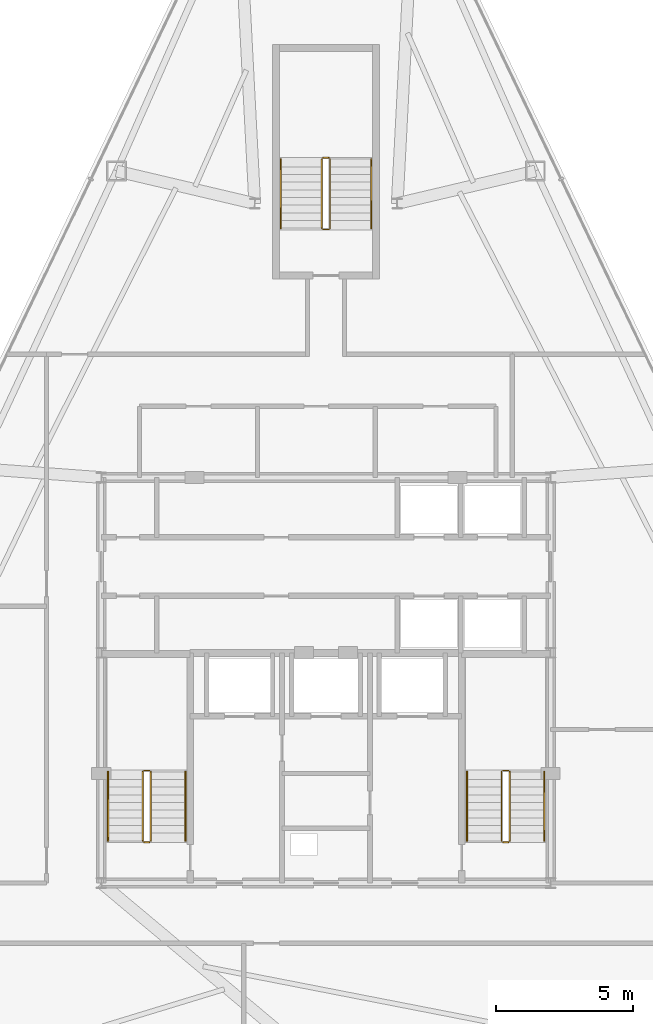
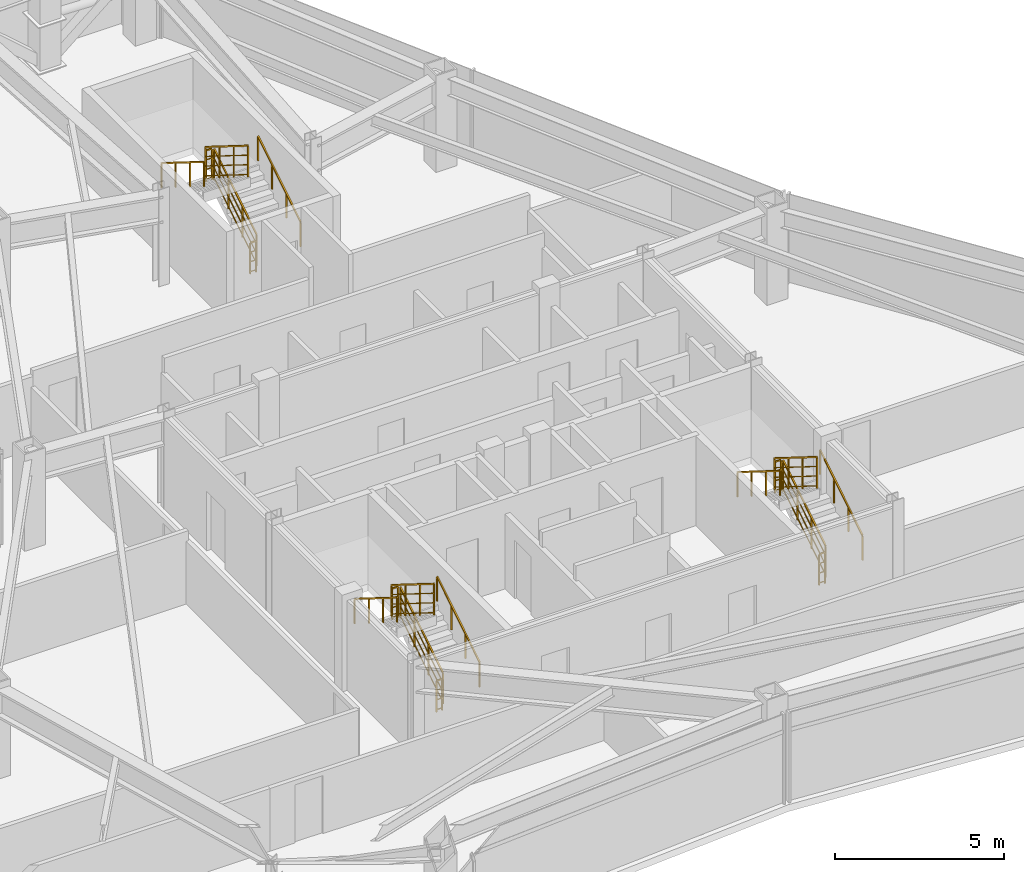
# One storey, part 12 of 12: 18 railings.
"""IFC4 building model written with IfcOpenShell, lengths in metres."""

from ifc_helpers import new_model, si_unit, direction, frame, origin, origin_2d, place, context, subcontext, project, spatial, rectangle, extrude, material, type_object, element, save


model = new_model("IFC4")

# Units and contexts
model_context = context("Model", 3, precision=1e-05, world=origin(), true_north=direction((0.0, 1.0)))
body_context = subcontext(model_context, "Body", "Model", "MODEL_VIEW")
ifc_project = project(units=[si_unit("LENGTHUNIT", "METRE"), si_unit("AREAUNIT", "SQUARE_METRE"), si_unit("VOLUMEUNIT", "CUBIC_METRE"), si_unit("PLANEANGLEUNIT", "RADIAN"), si_unit("MASSUNIT", "GRAM", prefix="KILO")], contexts=[model_context])

# Site, building, storey
site_placement = place(None, origin())
site = spatial("IfcSite", under=ifc_project, at=site_placement, CompositionType="ELEMENT")
building_placement = place(site_placement, origin())
building = spatial("IfcBuilding", under=site, at=building_placement, Name="Varakhsha Concourse Tower", CompositionType="ELEMENT")
storey_placement = place(building_placement, frame((0.0, 0.0, 222.39990234375)))
storey = spatial("IfcBuildingStorey", under=building, at=storey_placement, Name="L63", CompositionType="ELEMENT", Elevation=222.39990234375)

# Railings
ifc_material = material(Name="Brushed Austenitic Stainless Steel AISI 316", Category="steel")
railing_type_1 = type_object("IfcRailingType", Name="RL-STAIR-GUARD-1100", PredefinedType="GUARDRAIL", material=ifc_material)
railing_1_placement = place(storey_placement, frame((33.610107421875, 17.93994140625, 0.175048828125)))
element("IfcRailing", 1, at=railing_1_placement, inside=storey, type_object=railing_type_1, Name="L63 ST1 stair guard 1", PredefinedType="GUARDRAIL", context=body_context, shape_type="SweptSolid", body=[
    extrude(rectangle(XDim=0.048095703125, YDim=0.048095703125, at=origin_2d()), frame((0.0, 0.0, 1.1259765625), z_axis=(0.0, 0.848007534815, 0.529984170421), x_axis=(-1.0, 0.0, 0.0)), (0.0, 0.0, 1.0), 2.9716796875),
    extrude(rectangle(XDim=0.028076171875, YDim=0.028076171875, at=origin_2d()), frame((0.0, 0.0, 0.080078125), z_axis=(0.0, 0.848007534815, 0.529984170421), x_axis=(-1.0, 0.0, 0.0)), (0.0, 0.0, 1.0), 2.9716796875),
    extrude(rectangle(XDim=0.028076171875, YDim=0.028076171875, at=origin_2d()), frame((0.0, 0.0, 0.43701171875), z_axis=(0.0, 0.848007534815, 0.529984170421), x_axis=(-1.0, 0.0, 0.0)), (0.0, 0.0, 1.0), 2.9716796875),
    extrude(rectangle(XDim=0.028076171875, YDim=0.028076171875, at=origin_2d()), frame((0.0, 0.0, 0.781982421875), z_axis=(0.0, 0.848007534815, 0.529984170421), x_axis=(-1.0, 0.0, 0.0)), (0.0, 0.0, 1.0), 2.9716796875),
    extrude(rectangle(XDim=0.0419921875, YDim=0.0419921875, at=origin_2d()), origin(), (0.0, 0.0, 1.0), 1.101806640625),
    extrude(rectangle(XDim=0.0419921875, YDim=0.0419921875, at=origin_2d()), frame((0.0, 0.840087890625, 0.52490234375)), (0.0, 0.0, 1.0), 1.101806640625),
    extrude(rectangle(XDim=0.0419921875, YDim=0.0419921875, at=origin_2d()), frame((0.0, 1.679931640625, 1.050048828125)), (0.0, 0.0, 1.0), 1.101806640625),
    extrude(rectangle(XDim=0.0419921875, YDim=0.0419921875, at=origin_2d()), frame((0.0, 2.52001953125, 1.574951171875)), (0.0, 0.0, 1.0), 1.101806640625),
])
railing_2_placement = place(storey_placement, frame((33.56005859375, 20.510009765625, 1.75)))
element("IfcRailing", 2, at=railing_2_placement, inside=storey, type_object=railing_type_1, Name="L63 ST1 stair guard 2", PredefinedType="GUARDRAIL", context=body_context, shape_type="SweptSolid", body=[
    extrude(rectangle(XDim=0.048095703125, YDim=0.048095703125, at=origin_2d()), frame((0.0, 0.0, 1.1259765625), z_axis=(-1.0, 0.0, 0.0), x_axis=(0.0, -1.0, 0.0)), (0.0, 0.0, 1.0), 0.199951171875),
    extrude(rectangle(XDim=0.028076171875, YDim=0.028076171875, at=origin_2d()), frame((0.0, 0.0, 0.080078125), z_axis=(-1.0, 0.0, 0.0), x_axis=(0.0, -1.0, 0.0)), (0.0, 0.0, 1.0), 0.199951171875),
    extrude(rectangle(XDim=0.028076171875, YDim=0.028076171875, at=origin_2d()), frame((0.0, 0.0, 0.43701171875), z_axis=(-1.0, 0.0, 0.0), x_axis=(0.0, -1.0, 0.0)), (0.0, 0.0, 1.0), 0.199951171875),
    extrude(rectangle(XDim=0.028076171875, YDim=0.028076171875, at=origin_2d()), frame((0.0, 0.0, 0.781982421875), z_axis=(-1.0, 0.0, 0.0), x_axis=(0.0, -1.0, 0.0)), (0.0, 0.0, 1.0), 0.199951171875),
    extrude(rectangle(XDim=0.0419921875, YDim=0.0419921875, at=origin_2d()), origin(), (0.0, 0.0, 1.0), 1.101806640625),
    extrude(rectangle(XDim=0.0419921875, YDim=0.0419921875, at=origin_2d()), frame((-0.199951171875, 0.0, 0.0)), (0.0, 0.0, 1.0), 1.101806640625),
])
railing_3_placement = place(storey_placement, frame((33.31005859375, 20.4599609375, 1.925048828125)))
element("IfcRailing", 3, at=railing_3_placement, inside=storey, type_object=railing_type_1, Name="L63 ST1 stair guard 3", PredefinedType="GUARDRAIL", context=body_context, shape_type="SweptSolid", body=[
    extrude(rectangle(XDim=0.048095703125, YDim=0.048095703125, at=origin_2d()), frame((0.0, 0.0, 1.1259765625), z_axis=(0.0, -0.848007534815, 0.529984170421), x_axis=(1.0, 0.0, 0.0)), (0.0, 0.0, 1.0), 2.9716796875),
    extrude(rectangle(XDim=0.028076171875, YDim=0.028076171875, at=origin_2d()), frame((0.0, 0.0, 0.080078125), z_axis=(0.0, -0.848007534815, 0.529984170421), x_axis=(1.0, 0.0, 0.0)), (0.0, 0.0, 1.0), 2.9716796875),
    extrude(rectangle(XDim=0.028076171875, YDim=0.028076171875, at=origin_2d()), frame((0.0, 0.0, 0.43701171875), z_axis=(0.0, -0.848007534815, 0.529984170421), x_axis=(1.0, 0.0, 0.0)), (0.0, 0.0, 1.0), 2.9716796875),
    extrude(rectangle(XDim=0.028076171875, YDim=0.028076171875, at=origin_2d()), frame((0.0, 0.0, 0.781982421875), z_axis=(0.0, -0.848007534815, 0.529984170421), x_axis=(1.0, 0.0, 0.0)), (0.0, 0.0, 1.0), 2.9716796875),
    extrude(rectangle(XDim=0.0419921875, YDim=0.0419921875, at=origin_2d()), origin(), (0.0, 0.0, 1.0), 1.101806640625),
    extrude(rectangle(XDim=0.0419921875, YDim=0.0419921875, at=origin_2d()), frame((0.0, -0.840087890625, 0.52490234375)), (0.0, 0.0, 1.0), 1.101806640625),
    extrude(rectangle(XDim=0.0419921875, YDim=0.0419921875, at=origin_2d()), frame((0.0, -1.679931640625, 1.050048828125)), (0.0, 0.0, 1.0), 1.101806640625),
    extrude(rectangle(XDim=0.0419921875, YDim=0.0419921875, at=origin_2d()), frame((0.0, -2.52001953125, 1.574951171875)), (0.0, 0.0, 1.0), 1.101806640625),
])
railing_4_placement = place(storey_placement, frame((33.56005859375, 17.889892578125, 0.0)))
element("IfcRailing", 4, at=railing_4_placement, inside=storey, type_object=railing_type_1, Name="L63 ST1 stair guard 4", PredefinedType="GUARDRAIL", context=body_context, shape_type="SweptSolid", body=[
    extrude(rectangle(XDim=0.048095703125, YDim=0.048095703125, at=origin_2d()), frame((0.0, 0.0, 1.1259765625), z_axis=(-1.0, 0.0, 0.0), x_axis=(0.0, -1.0, 0.0)), (0.0, 0.0, 1.0), 0.199951171875),
    extrude(rectangle(XDim=0.028076171875, YDim=0.028076171875, at=origin_2d()), frame((0.0, 0.0, 0.080078125), z_axis=(-1.0, 0.0, 0.0), x_axis=(0.0, -1.0, 0.0)), (0.0, 0.0, 1.0), 0.199951171875),
    extrude(rectangle(XDim=0.028076171875, YDim=0.028076171875, at=origin_2d()), frame((0.0, 0.0, 0.43701171875), z_axis=(-1.0, 0.0, 0.0), x_axis=(0.0, -1.0, 0.0)), (0.0, 0.0, 1.0), 0.199951171875),
    extrude(rectangle(XDim=0.028076171875, YDim=0.028076171875, at=origin_2d()), frame((0.0, 0.0, 0.781982421875), z_axis=(-1.0, 0.0, 0.0), x_axis=(0.0, -1.0, 0.0)), (0.0, 0.0, 1.0), 0.199951171875),
    extrude(rectangle(XDim=0.0419921875, YDim=0.0419921875, at=origin_2d()), origin(), (0.0, 0.0, 1.0), 1.101806640625),
    extrude(rectangle(XDim=0.0419921875, YDim=0.0419921875, at=origin_2d()), frame((-0.199951171875, 0.0, 0.0)), (0.0, 0.0, 1.0), 1.101806640625),
])
railing_5_placement = place(storey_placement, frame((46.7099609375, 17.93994140625, 0.175048828125)))
element("IfcRailing", 5, at=railing_5_placement, inside=storey, type_object=railing_type_1, Name="L63 ST2 stair guard 1", PredefinedType="GUARDRAIL", context=body_context, shape_type="SweptSolid", body=[
    extrude(rectangle(XDim=0.048095703125, YDim=0.048095703125, at=origin_2d()), frame((0.0, 0.0, 1.1259765625), z_axis=(0.0, 0.848007534815, 0.529984170421), x_axis=(-1.0, 0.0, 0.0)), (0.0, 0.0, 1.0), 2.9716796875),
    extrude(rectangle(XDim=0.028076171875, YDim=0.028076171875, at=origin_2d()), frame((0.0, 0.0, 0.080078125), z_axis=(0.0, 0.848007534815, 0.529984170421), x_axis=(-1.0, 0.0, 0.0)), (0.0, 0.0, 1.0), 2.9716796875),
    extrude(rectangle(XDim=0.028076171875, YDim=0.028076171875, at=origin_2d()), frame((0.0, 0.0, 0.43701171875), z_axis=(0.0, 0.848007534815, 0.529984170421), x_axis=(-1.0, 0.0, 0.0)), (0.0, 0.0, 1.0), 2.9716796875),
    extrude(rectangle(XDim=0.028076171875, YDim=0.028076171875, at=origin_2d()), frame((0.0, 0.0, 0.781982421875), z_axis=(0.0, 0.848007534815, 0.529984170421), x_axis=(-1.0, 0.0, 0.0)), (0.0, 0.0, 1.0), 2.9716796875),
    extrude(rectangle(XDim=0.0419921875, YDim=0.0419921875, at=origin_2d()), origin(), (0.0, 0.0, 1.0), 1.101806640625),
    extrude(rectangle(XDim=0.0419921875, YDim=0.0419921875, at=origin_2d()), frame((0.0, 0.840087890625, 0.52490234375)), (0.0, 0.0, 1.0), 1.101806640625),
    extrude(rectangle(XDim=0.0419921875, YDim=0.0419921875, at=origin_2d()), frame((0.0, 1.679931640625, 1.050048828125)), (0.0, 0.0, 1.0), 1.101806640625),
    extrude(rectangle(XDim=0.0419921875, YDim=0.0419921875, at=origin_2d()), frame((0.0, 2.52001953125, 1.574951171875)), (0.0, 0.0, 1.0), 1.101806640625),
])
railing_6_placement = place(storey_placement, frame((46.659912109375, 20.510009765625, 1.75)))
element("IfcRailing", 6, at=railing_6_placement, inside=storey, type_object=railing_type_1, Name="L63 ST2 stair guard 2", PredefinedType="GUARDRAIL", context=body_context, shape_type="SweptSolid", body=[
    extrude(rectangle(XDim=0.048095703125, YDim=0.048095703125, at=origin_2d()), frame((0.0, 0.0, 1.1259765625), z_axis=(-1.0, 0.0, 0.0), x_axis=(0.0, -1.0, 0.0)), (0.0, 0.0, 1.0), 0.199951171875),
    extrude(rectangle(XDim=0.028076171875, YDim=0.028076171875, at=origin_2d()), frame((0.0, 0.0, 0.080078125), z_axis=(-1.0, 0.0, 0.0), x_axis=(0.0, -1.0, 0.0)), (0.0, 0.0, 1.0), 0.199951171875),
    extrude(rectangle(XDim=0.028076171875, YDim=0.028076171875, at=origin_2d()), frame((0.0, 0.0, 0.43701171875), z_axis=(-1.0, 0.0, 0.0), x_axis=(0.0, -1.0, 0.0)), (0.0, 0.0, 1.0), 0.199951171875),
    extrude(rectangle(XDim=0.028076171875, YDim=0.028076171875, at=origin_2d()), frame((0.0, 0.0, 0.781982421875), z_axis=(-1.0, 0.0, 0.0), x_axis=(0.0, -1.0, 0.0)), (0.0, 0.0, 1.0), 0.199951171875),
    extrude(rectangle(XDim=0.0419921875, YDim=0.0419921875, at=origin_2d()), origin(), (0.0, 0.0, 1.0), 1.101806640625),
    extrude(rectangle(XDim=0.0419921875, YDim=0.0419921875, at=origin_2d()), frame((-0.199951171875, 0.0, 0.0)), (0.0, 0.0, 1.0), 1.101806640625),
])
railing_7_placement = place(storey_placement, frame((46.409912109375, 20.4599609375, 1.925048828125)))
element("IfcRailing", 7, at=railing_7_placement, inside=storey, type_object=railing_type_1, Name="L63 ST2 stair guard 3", PredefinedType="GUARDRAIL", context=body_context, shape_type="SweptSolid", body=[
    extrude(rectangle(XDim=0.048095703125, YDim=0.048095703125, at=origin_2d()), frame((0.0, 0.0, 1.1259765625), z_axis=(0.0, -0.848007534815, 0.529984170421), x_axis=(1.0, 0.0, 0.0)), (0.0, 0.0, 1.0), 2.9716796875),
    extrude(rectangle(XDim=0.028076171875, YDim=0.028076171875, at=origin_2d()), frame((0.0, 0.0, 0.080078125), z_axis=(0.0, -0.848007534815, 0.529984170421), x_axis=(1.0, 0.0, 0.0)), (0.0, 0.0, 1.0), 2.9716796875),
    extrude(rectangle(XDim=0.028076171875, YDim=0.028076171875, at=origin_2d()), frame((0.0, 0.0, 0.43701171875), z_axis=(0.0, -0.848007534815, 0.529984170421), x_axis=(1.0, 0.0, 0.0)), (0.0, 0.0, 1.0), 2.9716796875),
    extrude(rectangle(XDim=0.028076171875, YDim=0.028076171875, at=origin_2d()), frame((0.0, 0.0, 0.781982421875), z_axis=(0.0, -0.848007534815, 0.529984170421), x_axis=(1.0, 0.0, 0.0)), (0.0, 0.0, 1.0), 2.9716796875),
    extrude(rectangle(XDim=0.0419921875, YDim=0.0419921875, at=origin_2d()), origin(), (0.0, 0.0, 1.0), 1.101806640625),
    extrude(rectangle(XDim=0.0419921875, YDim=0.0419921875, at=origin_2d()), frame((0.0, -0.840087890625, 0.52490234375)), (0.0, 0.0, 1.0), 1.101806640625),
    extrude(rectangle(XDim=0.0419921875, YDim=0.0419921875, at=origin_2d()), frame((0.0, -1.679931640625, 1.050048828125)), (0.0, 0.0, 1.0), 1.101806640625),
    extrude(rectangle(XDim=0.0419921875, YDim=0.0419921875, at=origin_2d()), frame((0.0, -2.52001953125, 1.574951171875)), (0.0, 0.0, 1.0), 1.101806640625),
])
railing_8_placement = place(storey_placement, frame((46.659912109375, 17.889892578125, 0.0)))
element("IfcRailing", 8, at=railing_8_placement, inside=storey, type_object=railing_type_1, Name="L63 ST2 stair guard 4", PredefinedType="GUARDRAIL", context=body_context, shape_type="SweptSolid", body=[
    extrude(rectangle(XDim=0.048095703125, YDim=0.048095703125, at=origin_2d()), frame((0.0, 0.0, 1.1259765625), z_axis=(-1.0, 0.0, 0.0), x_axis=(0.0, -1.0, 0.0)), (0.0, 0.0, 1.0), 0.199951171875),
    extrude(rectangle(XDim=0.028076171875, YDim=0.028076171875, at=origin_2d()), frame((0.0, 0.0, 0.080078125), z_axis=(-1.0, 0.0, 0.0), x_axis=(0.0, -1.0, 0.0)), (0.0, 0.0, 1.0), 0.199951171875),
    extrude(rectangle(XDim=0.028076171875, YDim=0.028076171875, at=origin_2d()), frame((0.0, 0.0, 0.43701171875), z_axis=(-1.0, 0.0, 0.0), x_axis=(0.0, -1.0, 0.0)), (0.0, 0.0, 1.0), 0.199951171875),
    extrude(rectangle(XDim=0.028076171875, YDim=0.028076171875, at=origin_2d()), frame((0.0, 0.0, 0.781982421875), z_axis=(-1.0, 0.0, 0.0), x_axis=(0.0, -1.0, 0.0)), (0.0, 0.0, 1.0), 0.199951171875),
    extrude(rectangle(XDim=0.0419921875, YDim=0.0419921875, at=origin_2d()), origin(), (0.0, 0.0, 1.0), 1.101806640625),
    extrude(rectangle(XDim=0.0419921875, YDim=0.0419921875, at=origin_2d()), frame((-0.199951171875, 0.0, 0.0)), (0.0, 0.0, 1.0), 1.101806640625),
])
railing_9_placement = place(storey_placement, frame((40.14990234375, 40.300048828125, 0.175048828125)))
element("IfcRailing", 9, at=railing_9_placement, inside=storey, type_object=railing_type_1, Name="L63 ST5 stair guard 1", PredefinedType="GUARDRAIL", context=body_context, shape_type="SweptSolid", body=[
    extrude(rectangle(XDim=0.048095703125, YDim=0.048095703125, at=origin_2d()), frame((0.0, 0.0, 1.1259765625), z_axis=(0.0, 0.848007534815, 0.529984170421), x_axis=(-1.0, 0.0, 0.0)), (0.0, 0.0, 1.0), 2.9716796875),
    extrude(rectangle(XDim=0.028076171875, YDim=0.028076171875, at=origin_2d()), frame((0.0, 0.0, 0.080078125), z_axis=(0.0, 0.848007534815, 0.529984170421), x_axis=(-1.0, 0.0, 0.0)), (0.0, 0.0, 1.0), 2.9716796875),
    extrude(rectangle(XDim=0.028076171875, YDim=0.028076171875, at=origin_2d()), frame((0.0, 0.0, 0.43701171875), z_axis=(0.0, 0.848007534815, 0.529984170421), x_axis=(-1.0, 0.0, 0.0)), (0.0, 0.0, 1.0), 2.9716796875),
    extrude(rectangle(XDim=0.028076171875, YDim=0.028076171875, at=origin_2d()), frame((0.0, 0.0, 0.781982421875), z_axis=(0.0, 0.848007534815, 0.529984170421), x_axis=(-1.0, 0.0, 0.0)), (0.0, 0.0, 1.0), 2.9716796875),
    extrude(rectangle(XDim=0.0419921875, YDim=0.0419921875, at=origin_2d()), origin(), (0.0, 0.0, 1.0), 1.101806640625),
    extrude(rectangle(XDim=0.0419921875, YDim=0.0419921875, at=origin_2d()), frame((0.0, 0.840087890625, 0.52490234375)), (0.0, 0.0, 1.0), 1.101806640625),
    extrude(rectangle(XDim=0.0419921875, YDim=0.0419921875, at=origin_2d()), frame((0.0, 1.679931640625, 1.050048828125)), (0.0, 0.0, 1.0), 1.101806640625),
    extrude(rectangle(XDim=0.0419921875, YDim=0.0419921875, at=origin_2d()), frame((0.0, 2.52001953125, 1.574951171875)), (0.0, 0.0, 1.0), 1.101806640625),
])
railing_10_placement = place(storey_placement, frame((40.10009765625, 42.8701171875, 1.75)))
element("IfcRailing", 10, at=railing_10_placement, inside=storey, type_object=railing_type_1, Name="L63 ST5 stair guard 2", PredefinedType="GUARDRAIL", context=body_context, shape_type="SweptSolid", body=[
    extrude(rectangle(XDim=0.048095703125, YDim=0.048095703125, at=origin_2d()), frame((0.0, 0.0, 1.1259765625), z_axis=(-1.0, 0.0, 0.0), x_axis=(0.0, -1.0, 0.0)), (0.0, 0.0, 1.0), 0.2001953125),
    extrude(rectangle(XDim=0.028076171875, YDim=0.028076171875, at=origin_2d()), frame((0.0, 0.0, 0.080078125), z_axis=(-1.0, 0.0, 0.0), x_axis=(0.0, -1.0, 0.0)), (0.0, 0.0, 1.0), 0.2001953125),
    extrude(rectangle(XDim=0.028076171875, YDim=0.028076171875, at=origin_2d()), frame((0.0, 0.0, 0.43701171875), z_axis=(-1.0, 0.0, 0.0), x_axis=(0.0, -1.0, 0.0)), (0.0, 0.0, 1.0), 0.2001953125),
    extrude(rectangle(XDim=0.028076171875, YDim=0.028076171875, at=origin_2d()), frame((0.0, 0.0, 0.781982421875), z_axis=(-1.0, 0.0, 0.0), x_axis=(0.0, -1.0, 0.0)), (0.0, 0.0, 1.0), 0.2001953125),
    extrude(rectangle(XDim=0.0419921875, YDim=0.0419921875, at=origin_2d()), origin(), (0.0, 0.0, 1.0), 1.101806640625),
    extrude(rectangle(XDim=0.0419921875, YDim=0.0419921875, at=origin_2d()), frame((-0.2001953125, 0.0, 0.0)), (0.0, 0.0, 1.0), 1.101806640625),
])
railing_11_placement = place(storey_placement, frame((39.85009765625, 42.820068359375, 1.925048828125)))
element("IfcRailing", 11, at=railing_11_placement, inside=storey, type_object=railing_type_1, Name="L63 ST5 stair guard 3", PredefinedType="GUARDRAIL", context=body_context, shape_type="SweptSolid", body=[
    extrude(rectangle(XDim=0.048095703125, YDim=0.048095703125, at=origin_2d()), frame((0.0, 0.0, 1.1259765625), z_axis=(0.0, -0.848007534815, 0.529984170421), x_axis=(1.0, 0.0, 0.0)), (0.0, 0.0, 1.0), 2.9716796875),
    extrude(rectangle(XDim=0.028076171875, YDim=0.028076171875, at=origin_2d()), frame((0.0, 0.0, 0.080078125), z_axis=(0.0, -0.848007534815, 0.529984170421), x_axis=(1.0, 0.0, 0.0)), (0.0, 0.0, 1.0), 2.9716796875),
    extrude(rectangle(XDim=0.028076171875, YDim=0.028076171875, at=origin_2d()), frame((0.0, 0.0, 0.43701171875), z_axis=(0.0, -0.848007534815, 0.529984170421), x_axis=(1.0, 0.0, 0.0)), (0.0, 0.0, 1.0), 2.9716796875),
    extrude(rectangle(XDim=0.028076171875, YDim=0.028076171875, at=origin_2d()), frame((0.0, 0.0, 0.781982421875), z_axis=(0.0, -0.848007534815, 0.529984170421), x_axis=(1.0, 0.0, 0.0)), (0.0, 0.0, 1.0), 2.9716796875),
    extrude(rectangle(XDim=0.0419921875, YDim=0.0419921875, at=origin_2d()), origin(), (0.0, 0.0, 1.0), 1.101806640625),
    extrude(rectangle(XDim=0.0419921875, YDim=0.0419921875, at=origin_2d()), frame((0.0, -0.840087890625, 0.52490234375)), (0.0, 0.0, 1.0), 1.101806640625),
    extrude(rectangle(XDim=0.0419921875, YDim=0.0419921875, at=origin_2d()), frame((0.0, -1.679931640625, 1.050048828125)), (0.0, 0.0, 1.0), 1.101806640625),
    extrude(rectangle(XDim=0.0419921875, YDim=0.0419921875, at=origin_2d()), frame((0.0, -2.52001953125, 1.574951171875)), (0.0, 0.0, 1.0), 1.101806640625),
])
railing_12_placement = place(storey_placement, frame((40.10009765625, 40.25, 0.0)))
element("IfcRailing", 12, at=railing_12_placement, inside=storey, type_object=railing_type_1, Name="L63 ST5 stair guard 4", PredefinedType="GUARDRAIL", context=body_context, shape_type="SweptSolid", body=[
    extrude(rectangle(XDim=0.048095703125, YDim=0.048095703125, at=origin_2d()), frame((0.0, 0.0, 1.1259765625), z_axis=(-1.0, 0.0, 0.0), x_axis=(0.0, -1.0, 0.0)), (0.0, 0.0, 1.0), 0.2001953125),
    extrude(rectangle(XDim=0.028076171875, YDim=0.028076171875, at=origin_2d()), frame((0.0, 0.0, 0.080078125), z_axis=(-1.0, 0.0, 0.0), x_axis=(0.0, -1.0, 0.0)), (0.0, 0.0, 1.0), 0.2001953125),
    extrude(rectangle(XDim=0.028076171875, YDim=0.028076171875, at=origin_2d()), frame((0.0, 0.0, 0.43701171875), z_axis=(-1.0, 0.0, 0.0), x_axis=(0.0, -1.0, 0.0)), (0.0, 0.0, 1.0), 0.2001953125),
    extrude(rectangle(XDim=0.028076171875, YDim=0.028076171875, at=origin_2d()), frame((0.0, 0.0, 0.781982421875), z_axis=(-1.0, 0.0, 0.0), x_axis=(0.0, -1.0, 0.0)), (0.0, 0.0, 1.0), 0.2001953125),
    extrude(rectangle(XDim=0.0419921875, YDim=0.0419921875, at=origin_2d()), origin(), (0.0, 0.0, 1.0), 1.101806640625),
    extrude(rectangle(XDim=0.0419921875, YDim=0.0419921875, at=origin_2d()), frame((-0.2001953125, 0.0, 0.0)), (0.0, 0.0, 1.0), 1.101806640625),
])
railing_type_2 = type_object("IfcRailingType", Name="RL-STAIR-RAIL-915", PredefinedType="HANDRAIL", material=ifc_material)
railing_13_placement = place(storey_placement, frame((34.8701171875, 17.93994140625, 0.35009765625)))
element("IfcRailing", 13, at=railing_13_placement, inside=storey, type_object=railing_type_2, Name="L63 ST1 stair handrail 1", PredefinedType="HANDRAIL", context=body_context, shape_type="SweptSolid", body=[
    extrude(rectangle(XDim=0.048095703125, YDim=0.048095703125, at=origin_2d()), frame((0.0, 0.0, 0.89111328125), z_axis=(0.0, 0.848007534815, 0.529984170421), x_axis=(-1.0, 0.0, 0.0)), (0.0, 0.0, 1.0), 2.9716796875),
    extrude(rectangle(XDim=0.0419921875, YDim=0.0419921875, at=origin_2d()), origin(), (0.0, 0.0, 1.0), 0.866943359375),
    extrude(rectangle(XDim=0.0419921875, YDim=0.0419921875, at=origin_2d()), frame((0.0, 0.840087890625, 0.52490234375)), (0.0, 0.0, 1.0), 0.866943359375),
    extrude(rectangle(XDim=0.0419921875, YDim=0.0419921875, at=origin_2d()), frame((0.0, 1.679931640625, 1.050048828125)), (0.0, 0.0, 1.0), 0.866943359375),
    extrude(rectangle(XDim=0.0419921875, YDim=0.0419921875, at=origin_2d()), frame((0.0, 2.52001953125, 1.574951171875)), (0.0, 0.0, 1.0), 0.866943359375),
])
railing_14_placement = place(storey_placement, frame((32.050048828125, 20.4599609375, 2.10009765625)))
element("IfcRailing", 14, at=railing_14_placement, inside=storey, type_object=railing_type_2, Name="L63 ST1 stair handrail 2", PredefinedType="HANDRAIL", context=body_context, shape_type="SweptSolid", body=[
    extrude(rectangle(XDim=0.048095703125, YDim=0.048095703125, at=origin_2d()), frame((0.0, 0.0, 0.89111328125), z_axis=(0.0, -0.848007534815, 0.529984170421), x_axis=(1.0, 0.0, 0.0)), (0.0, 0.0, 1.0), 2.9716796875),
    extrude(rectangle(XDim=0.0419921875, YDim=0.0419921875, at=origin_2d()), origin(), (0.0, 0.0, 1.0), 0.866943359375),
    extrude(rectangle(XDim=0.0419921875, YDim=0.0419921875, at=origin_2d()), frame((0.0, -0.840087890625, 0.52490234375)), (0.0, 0.0, 1.0), 0.866943359375),
    extrude(rectangle(XDim=0.0419921875, YDim=0.0419921875, at=origin_2d()), frame((0.0, -1.679931640625, 1.050048828125)), (0.0, 0.0, 1.0), 0.866943359375),
    extrude(rectangle(XDim=0.0419921875, YDim=0.0419921875, at=origin_2d()), frame((0.0, -2.52001953125, 1.574951171875)), (0.0, 0.0, 1.0), 0.866943359375),
])
railing_15_placement = place(storey_placement, frame((47.969970703125, 17.93994140625, 0.35009765625)))
element("IfcRailing", 15, at=railing_15_placement, inside=storey, type_object=railing_type_2, Name="L63 ST2 stair handrail 1", PredefinedType="HANDRAIL", context=body_context, shape_type="SweptSolid", body=[
    extrude(rectangle(XDim=0.048095703125, YDim=0.048095703125, at=origin_2d()), frame((0.0, 0.0, 0.89111328125), z_axis=(0.0, 0.848007534815, 0.529984170421), x_axis=(-1.0, 0.0, 0.0)), (0.0, 0.0, 1.0), 2.9716796875),
    extrude(rectangle(XDim=0.0419921875, YDim=0.0419921875, at=origin_2d()), origin(), (0.0, 0.0, 1.0), 0.866943359375),
    extrude(rectangle(XDim=0.0419921875, YDim=0.0419921875, at=origin_2d()), frame((0.0, 0.840087890625, 0.52490234375)), (0.0, 0.0, 1.0), 0.866943359375),
    extrude(rectangle(XDim=0.0419921875, YDim=0.0419921875, at=origin_2d()), frame((0.0, 1.679931640625, 1.050048828125)), (0.0, 0.0, 1.0), 0.866943359375),
    extrude(rectangle(XDim=0.0419921875, YDim=0.0419921875, at=origin_2d()), frame((0.0, 2.52001953125, 1.574951171875)), (0.0, 0.0, 1.0), 0.866943359375),
])
railing_16_placement = place(storey_placement, frame((45.14990234375, 20.4599609375, 2.10009765625)))
element("IfcRailing", 16, at=railing_16_placement, inside=storey, type_object=railing_type_2, Name="L63 ST2 stair handrail 2", PredefinedType="HANDRAIL", context=body_context, shape_type="SweptSolid", body=[
    extrude(rectangle(XDim=0.048095703125, YDim=0.048095703125, at=origin_2d()), frame((0.0, 0.0, 0.89111328125), z_axis=(0.0, -0.848007534815, 0.529984170421), x_axis=(1.0, 0.0, 0.0)), (0.0, 0.0, 1.0), 2.9716796875),
    extrude(rectangle(XDim=0.0419921875, YDim=0.0419921875, at=origin_2d()), origin(), (0.0, 0.0, 1.0), 0.866943359375),
    extrude(rectangle(XDim=0.0419921875, YDim=0.0419921875, at=origin_2d()), frame((0.0, -0.840087890625, 0.52490234375)), (0.0, 0.0, 1.0), 0.866943359375),
    extrude(rectangle(XDim=0.0419921875, YDim=0.0419921875, at=origin_2d()), frame((0.0, -1.679931640625, 1.050048828125)), (0.0, 0.0, 1.0), 0.866943359375),
    extrude(rectangle(XDim=0.0419921875, YDim=0.0419921875, at=origin_2d()), frame((0.0, -2.52001953125, 1.574951171875)), (0.0, 0.0, 1.0), 0.866943359375),
])
railing_17_placement = place(storey_placement, frame((41.64990234375, 40.300048828125, 0.35009765625)))
element("IfcRailing", 17, at=railing_17_placement, inside=storey, type_object=railing_type_2, Name="L63 ST5 stair handrail 1", PredefinedType="HANDRAIL", context=body_context, shape_type="SweptSolid", body=[
    extrude(rectangle(XDim=0.048095703125, YDim=0.048095703125, at=origin_2d()), frame((0.0, 0.0, 0.89111328125), z_axis=(0.0, 0.848007534815, 0.529984170421), x_axis=(-1.0, 0.0, 0.0)), (0.0, 0.0, 1.0), 2.9716796875),
    extrude(rectangle(XDim=0.0419921875, YDim=0.0419921875, at=origin_2d()), origin(), (0.0, 0.0, 1.0), 0.866943359375),
    extrude(rectangle(XDim=0.0419921875, YDim=0.0419921875, at=origin_2d()), frame((0.0, 0.840087890625, 0.52490234375)), (0.0, 0.0, 1.0), 0.866943359375),
    extrude(rectangle(XDim=0.0419921875, YDim=0.0419921875, at=origin_2d()), frame((0.0, 1.679931640625, 1.050048828125)), (0.0, 0.0, 1.0), 0.866943359375),
    extrude(rectangle(XDim=0.0419921875, YDim=0.0419921875, at=origin_2d()), frame((0.0, 2.52001953125, 1.574951171875)), (0.0, 0.0, 1.0), 0.866943359375),
])
railing_18_placement = place(storey_placement, frame((38.35009765625, 42.820068359375, 2.10009765625)))
element("IfcRailing", 18, at=railing_18_placement, inside=storey, type_object=railing_type_2, Name="L63 ST5 stair handrail 2", PredefinedType="HANDRAIL", context=body_context, shape_type="SweptSolid", body=[
    extrude(rectangle(XDim=0.048095703125, YDim=0.048095703125, at=origin_2d()), frame((0.0, 0.0, 0.89111328125), z_axis=(0.0, -0.848007534815, 0.529984170421), x_axis=(1.0, 0.0, 0.0)), (0.0, 0.0, 1.0), 2.9716796875),
    extrude(rectangle(XDim=0.0419921875, YDim=0.0419921875, at=origin_2d()), origin(), (0.0, 0.0, 1.0), 0.866943359375),
    extrude(rectangle(XDim=0.0419921875, YDim=0.0419921875, at=origin_2d()), frame((0.0, -0.840087890625, 0.52490234375)), (0.0, 0.0, 1.0), 0.866943359375),
    extrude(rectangle(XDim=0.0419921875, YDim=0.0419921875, at=origin_2d()), frame((0.0, -1.679931640625, 1.050048828125)), (0.0, 0.0, 1.0), 0.866943359375),
    extrude(rectangle(XDim=0.0419921875, YDim=0.0419921875, at=origin_2d()), frame((0.0, -2.52001953125, 1.574951171875)), (0.0, 0.0, 1.0), 0.866943359375),
])

save(model, "model.ifc")
